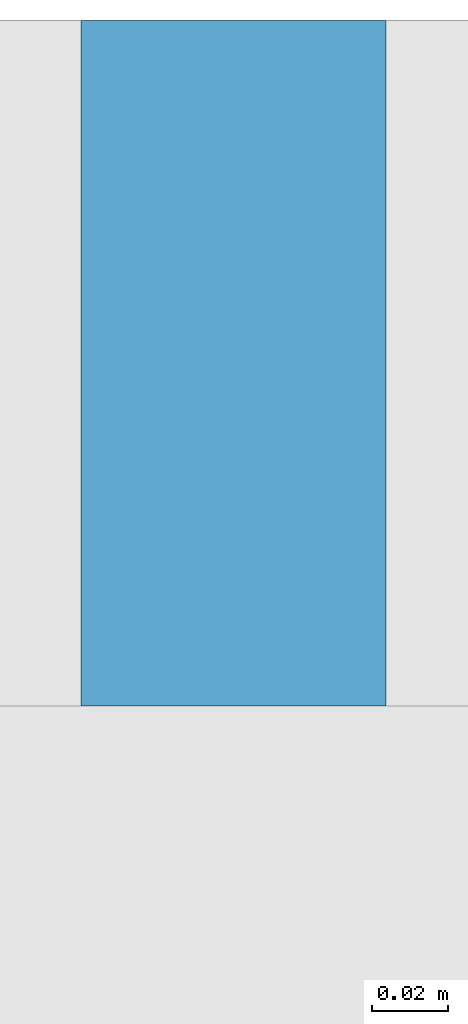
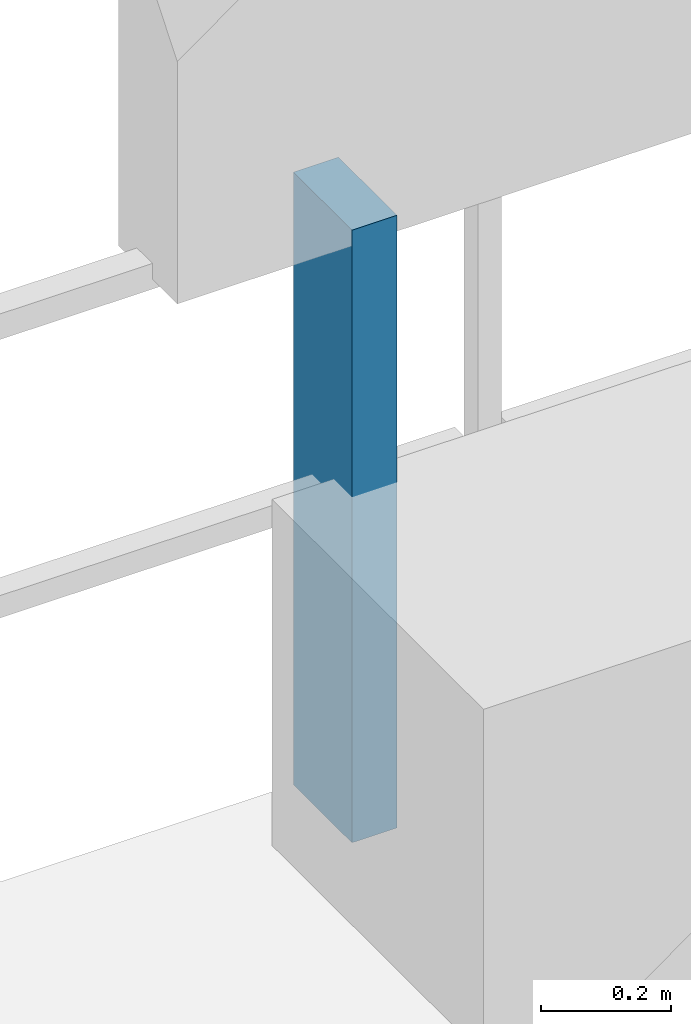
# One storey, part 26 of 31: 1 discrete accessory.
"""IFC4 building model written with IfcOpenShell, lengths in metres."""

from ifc_helpers import new_model, si_unit, direction, frame, origin, origin_2d, place, context, subcontext, project, spatial, rectangle, extrude, material, type_object, element, save


model = new_model("IFC4")

# Units and contexts
model_context = context("Model", 3, precision=1e-05, world=origin(), true_north=direction((0.0, 1.0)))
body_context = subcontext(model_context, "Body", "Model", "MODEL_VIEW")
ifc_project = project(units=[si_unit("LENGTHUNIT", "METRE"), si_unit("AREAUNIT", "SQUARE_METRE"), si_unit("VOLUMEUNIT", "CUBIC_METRE"), si_unit("PLANEANGLEUNIT", "RADIAN"), si_unit("MASSUNIT", "GRAM", prefix="KILO")], contexts=[model_context])

# Site, building, storey
site_placement = place(None, origin())
site = spatial("IfcSite", under=ifc_project, at=site_placement, CompositionType="ELEMENT")
building_placement = place(site_placement, origin())
building = spatial("IfcBuilding", under=site, at=building_placement, Name="Thornwick Lancets Civic Towers", CompositionType="ELEMENT")
storey_placement = place(building_placement, frame((0.0, 0.0, 87.300048828125)))
storey = spatial("IfcBuildingStorey", under=building, at=storey_placement, Name="L22", CompositionType="ELEMENT", Elevation=87.300048828125)

# Discrete accessory
ifc_material = material(Name="Stainless steel S355", Category="steel")
discrete_accessory_type = type_object("IfcDiscreteAccessoryType", Name="ACC_SCREEN_BRACKET", PredefinedType="BRACKET", material=ifc_material)
discrete_accessory_placement = place(storey_placement, frame((24.050048828125, 52.260009765625, 0.0), z_axis=(0.0, 0.0, 1.0), x_axis=(1.0, 0.0, 0.0)))
element("IfcDiscreteAccessory", 1, at=discrete_accessory_placement, inside=storey, type_object=discrete_accessory_type, Name="L22 Tower A Balcony Screen Stanchion Bracket N-1", PredefinedType="BRACKET", context=body_context, shape_type="SweptSolid", body=[
    extrude(rectangle(XDim=0.080078125, YDim=0.179931640625, at=origin_2d()), origin(), (0.0, 0.0, 1.0), 1.14990234375),
])

save(model, "model.ifc")
